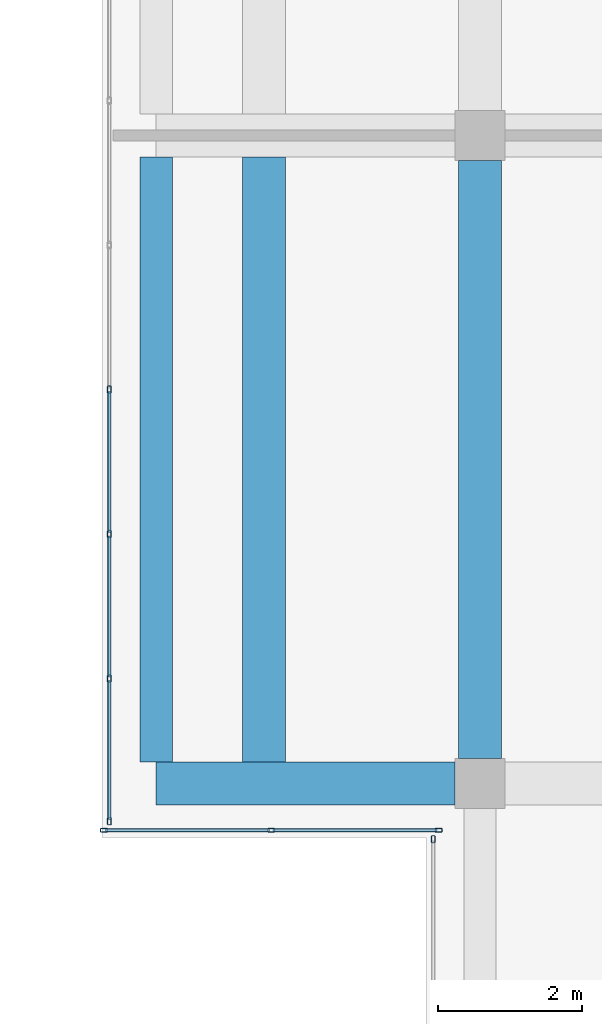
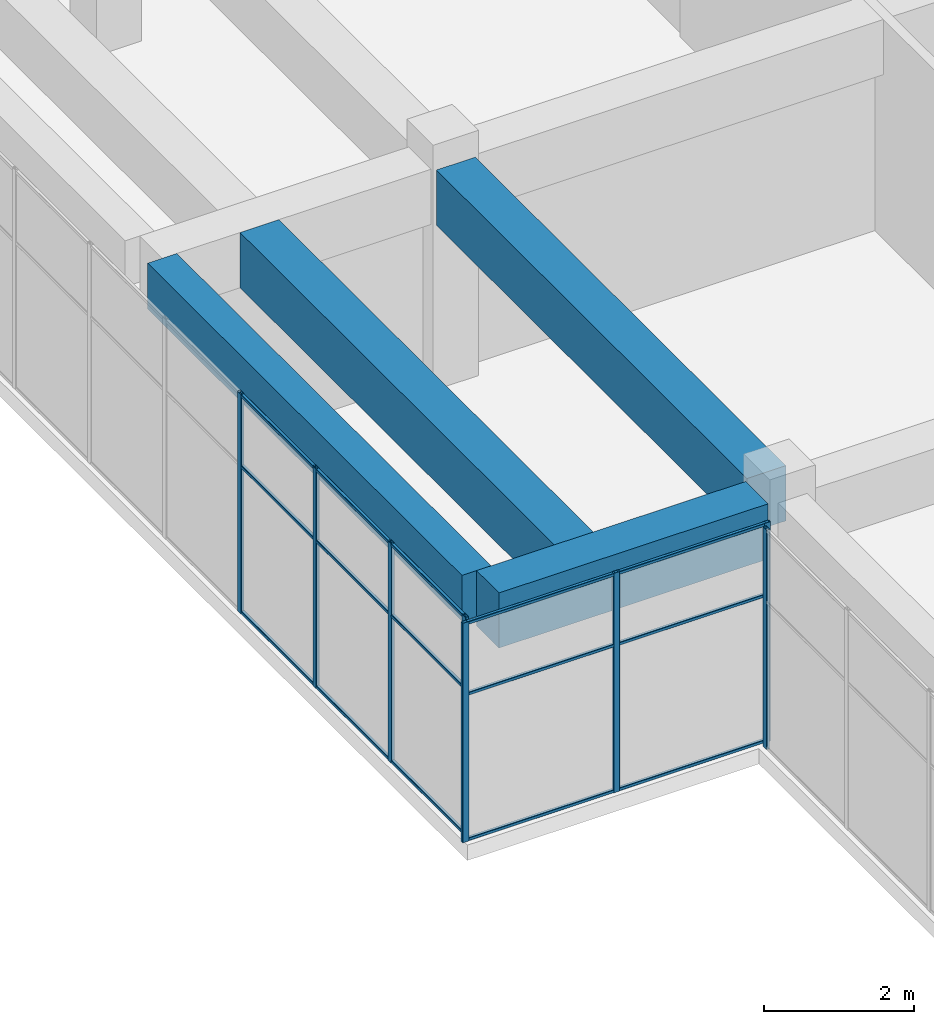
# One storey, part 3 of 32: 23 members, 4 beams, 3 elements without a shape of their own.
"""IFC4 building model written with IfcOpenShell, lengths in metres."""

from ifc_helpers import new_model, si_unit, direction, frame, origin, origin_2d, place, context, subcontext, project, spatial, rectangle, hollow_rectangle, extrude, material, layer, layer_set, material_profile, profile_set, type_object, element, aggregate, save


model = new_model("IFC4")

# Units and contexts
model_context = context("Model", 3, precision=1e-05, world=origin(), true_north=direction((0.0, 1.0)))
body_context = subcontext(model_context, "Body", "Model", "MODEL_VIEW")
ifc_project = project(units=[si_unit("LENGTHUNIT", "METRE"), si_unit("AREAUNIT", "SQUARE_METRE"), si_unit("VOLUMEUNIT", "CUBIC_METRE"), si_unit("PLANEANGLEUNIT", "RADIAN"), si_unit("MASSUNIT", "GRAM", prefix="KILO")], contexts=[model_context])

# Site, building, storey
site_placement = place(None, origin())
site = spatial("IfcSite", under=ifc_project, at=site_placement, CompositionType="ELEMENT")
building_placement = place(site_placement, origin())
building = spatial("IfcBuilding", under=site, at=building_placement, Name="Tuart Plaza Theatre", CompositionType="ELEMENT")
storey_placement = place(building_placement, frame((0.0, 0.0, 37.5)))
storey = spatial("IfcBuildingStorey", under=building, at=storey_placement, Name="L09", CompositionType="ELEMENT", Elevation=37.5)

# Beams
ifc_material_1 = material(Name="Concrete N40 (40 MPa)", Category="concrete")
ifc_material_profile_1 = material_profile(ifc_material_1, rectangle(XDim=0.449951171875, YDim=0.75, at=origin_2d()), Name="BEAM 450x750 Concrete N40 (40 MPa)")
ifc_profile_set_1 = profile_set([ifc_material_profile_1], Name="Concrete N40 (40 MPa)")
beam_type_1 = type_object("IfcBeamType", Name="BEAM 450x750 Concrete N40 (40 MPa)", PredefinedType="BEAM", material=ifc_profile_set_1)
beam_1_placement = place(storey_placement, frame((109.5, 65.300048828125, 3.205078125), z_axis=(0.0, 1.0, 0.0), x_axis=(-1.0, 0.0, 0.0)))
element("IfcBeam", 1, at=beam_1_placement, inside=storey, type_object=beam_type_1, Name="RB248", PredefinedType="BEAM", context=body_context, shape_type="SweptSolid", body=[
    extrude(rectangle(XDim=0.449951171875, YDim=0.75, at=origin_2d()), origin(), (0.0, 0.0, 1.0), 8.39990234375),
])
ifc_material_2 = material(Name="Concrete N40 (40 MPa)", Category="concrete")
ifc_material_profile_2 = material_profile(ifc_material_2, rectangle(XDim=0.60009765625, YDim=0.89990234375, at=origin_2d()), Name="BEAM 600x900 Concrete N40 (40 MPa)")
ifc_profile_set_2 = profile_set([ifc_material_profile_2], Name="Concrete N40 (40 MPa)")
beam_type_2 = type_object("IfcBeamType", Name="BEAM 600x900 Concrete N40 (40 MPa)", PredefinedType="BEAM", material=ifc_profile_set_2)
beam_2_placement = place(storey_placement, frame((109.5, 65.0, 3.1298828125), z_axis=(1.0, 0.0, 0.0), x_axis=(0.0, 1.0, 0.0)))
element("IfcBeam", 2, at=beam_2_placement, inside=storey, type_object=beam_type_2, Name="RB249", PredefinedType="BEAM", context=body_context, shape_type="SweptSolid", body=[
    extrude(rectangle(XDim=0.60009765625, YDim=0.89990234375, at=origin_2d()), origin(), (0.0, 0.0, 1.0), 4.14990234375),
])
beam_3_placement = place(storey_placement, frame((111.0, 65.300048828125, 3.1298828125), z_axis=(0.0, 1.0, 0.0), x_axis=(-1.0, 0.0, 0.0)))
element("IfcBeam", 3, at=beam_3_placement, inside=storey, type_object=beam_type_2, Name="RB279", PredefinedType="BEAM", context=body_context, shape_type="SweptSolid", body=[
    extrude(rectangle(XDim=0.60009765625, YDim=0.89990234375, at=origin_2d()), origin(), (0.0, 0.0, 1.0), 8.39990234375),
])
beam_4_placement = place(storey_placement, frame((114.0, 65.35009765625, 3.1298828125), z_axis=(0.0, 1.0, 0.0), x_axis=(-1.0, 0.0, 0.0)))
element("IfcBeam", 4, at=beam_4_placement, inside=storey, type_object=beam_type_2, Name="RB257", PredefinedType="BEAM", context=body_context, shape_type="SweptSolid", body=[
    extrude(rectangle(XDim=0.60009765625, YDim=0.89990234375, at=origin_2d()), origin(), (0.0, 0.0, 1.0), 8.2998046875),
])

# Curtain wall, members
ifc_material_3 = material(Name="Aluminium and glass", Category="aluminium")
ifc_layer = layer(ifc_material_3, 0.10009765625)
ifc_layer_set = layer_set([ifc_layer], Name="CURTAIN WALL 2000 module")
curtain_wall_type = type_object("IfcCurtainWallType", Name="CURTAIN WALL 2000 module", PredefinedType="NOTDEFINED", material=ifc_layer_set)
curtain_wall_1_placement = place(storey_placement, origin())
curtain_wall_1 = element("IfcCurtainWall", 5, at=curtain_wall_1_placement, inside=storey, type_object=curtain_wall_type, Name="CW97", PredefinedType="NOTDEFINED")
ifc_material_4 = material(Name="Aluminium 6063-T5", Category="aluminium")
ifc_material_profile_3 = material_profile(ifc_material_4, hollow_rectangle(XDim=0.050048828125, YDim=0.10009765625, WallThickness=0.00390625, InnerFilletRadius=0.00390625, OuterFilletRadius=0.008056640625, at=origin_2d()), Name="RHS 100x50x4")
ifc_profile_set_3 = profile_set([ifc_material_profile_3], Name="Aluminium 6063-T5")
member_type_1 = type_object("IfcMemberType", Name="MULLION RHS 100x50x4", PredefinedType="MULLION", material=ifc_profile_set_3)
member_1_placement = place(storey_placement, frame((108.85009765625, 70.471435546875, 0.0), z_axis=(0.0, 0.0, 1.0), x_axis=(1.0, 0.0, 0.0)))
member_1 = element("IfcMember", 6, at=member_1_placement, type_object=member_type_1, Name="CW97 mullion 12", PredefinedType="MULLION", context=body_context, shape_type="SweptSolid", body=[
    extrude(hollow_rectangle(XDim=0.050048828125, YDim=0.10009765625, WallThickness=0.00390625, InnerFilletRadius=0.00390625, OuterFilletRadius=0.008056640625, at=origin_2d()), origin(), (0.0, 0.0, 1.0), 3.580078125),
])
member_2_placement = place(storey_placement, frame((108.85009765625, 68.46435546875, 0.0), z_axis=(0.0, 0.0, 1.0), x_axis=(1.0, 0.0, 0.0)))
member_2 = element("IfcMember", 7, at=member_2_placement, type_object=member_type_1, Name="CW97 mullion 13", PredefinedType="MULLION", context=body_context, shape_type="SweptSolid", body=[
    extrude(hollow_rectangle(XDim=0.050048828125, YDim=0.10009765625, WallThickness=0.00390625, InnerFilletRadius=0.00390625, OuterFilletRadius=0.008056640625, at=origin_2d()), origin(), (0.0, 0.0, 1.0), 3.580078125),
])
member_3_placement = place(storey_placement, frame((108.85009765625, 66.45703125, 0.0), z_axis=(0.0, 0.0, 1.0), x_axis=(1.0, 0.0, 0.0)))
member_3 = element("IfcMember", 8, at=member_3_placement, type_object=member_type_1, Name="CW97 mullion 14", PredefinedType="MULLION", context=body_context, shape_type="SweptSolid", body=[
    extrude(hollow_rectangle(XDim=0.050048828125, YDim=0.10009765625, WallThickness=0.00390625, InnerFilletRadius=0.00390625, OuterFilletRadius=0.008056640625, at=origin_2d()), origin(), (0.0, 0.0, 1.0), 3.580078125),
])
member_4_placement = place(storey_placement, frame((108.85009765625, 64.47509765625, 0.0), z_axis=(0.0, 0.0, 1.0), x_axis=(1.0, 0.0, 0.0)))
member_4 = element("IfcMember", 9, at=member_4_placement, type_object=member_type_1, Name="CW97 mullion 15", PredefinedType="MULLION", context=body_context, shape_type="SweptSolid", body=[
    extrude(hollow_rectangle(XDim=0.050048828125, YDim=0.10009765625, WallThickness=0.00390625, InnerFilletRadius=0.00390625, OuterFilletRadius=0.008056640625, at=origin_2d()), origin(), (0.0, 0.0, 1.0), 3.580078125),
])

curtain_wall_2_placement = place(storey_placement, origin())
curtain_wall_2 = element("IfcCurtainWall", 10, at=curtain_wall_2_placement, inside=storey, type_object=curtain_wall_type, Name="CW98", PredefinedType="NOTDEFINED")
member_5_placement = place(storey_placement, frame((108.77490234375, 64.35009765625, 0.0), z_axis=(0.0, 0.0, 1.0), x_axis=(0.0, 1.0, 0.0)))
member_5 = element("IfcMember", 11, at=member_5_placement, type_object=member_type_1, Name="CW98 mullion 1", PredefinedType="MULLION", context=body_context, shape_type="SweptSolid", body=[
    extrude(hollow_rectangle(XDim=0.050048828125, YDim=0.10009765625, WallThickness=0.00390625, InnerFilletRadius=0.00390625, OuterFilletRadius=0.008056640625, at=origin_2d()), origin(), (0.0, 0.0, 1.0), 3.580078125),
])
member_6_placement = place(storey_placement, frame((111.10009765625, 64.35009765625, 0.0), z_axis=(0.0, 0.0, 1.0), x_axis=(0.0, 1.0, 0.0)))
member_6 = element("IfcMember", 12, at=member_6_placement, type_object=member_type_1, Name="CW98 mullion 2", PredefinedType="MULLION", context=body_context, shape_type="SweptSolid", body=[
    extrude(hollow_rectangle(XDim=0.050048828125, YDim=0.10009765625, WallThickness=0.00390625, InnerFilletRadius=0.00390625, OuterFilletRadius=0.008056640625, at=origin_2d()), origin(), (0.0, 0.0, 1.0), 3.580078125),
])
member_7_placement = place(storey_placement, frame((113.425048828125, 64.35009765625, 0.0), z_axis=(0.0, 0.0, 1.0), x_axis=(0.0, 1.0, 0.0)))
member_7 = element("IfcMember", 13, at=member_7_placement, type_object=member_type_1, Name="CW98 mullion 3", PredefinedType="MULLION", context=body_context, shape_type="SweptSolid", body=[
    extrude(hollow_rectangle(XDim=0.050048828125, YDim=0.10009765625, WallThickness=0.00390625, InnerFilletRadius=0.00390625, OuterFilletRadius=0.008056640625, at=origin_2d()), origin(), (0.0, 0.0, 1.0), 3.580078125),
])

# Curtain wall, member
curtain_wall_3_placement = place(storey_placement, origin())
curtain_wall_3 = element("IfcCurtainWall", 14, at=curtain_wall_3_placement, inside=storey, type_object=curtain_wall_type, Name="CW99", PredefinedType="NOTDEFINED")
member_8_placement = place(storey_placement, frame((113.35009765625, 64.22509765625, 0.0), z_axis=(0.0, 0.0, 1.0), x_axis=(1.0, 0.0, 0.0)))
member_8 = element("IfcMember", 15, at=member_8_placement, type_object=member_type_1, Name="CW99 mullion 1", PredefinedType="MULLION", context=body_context, shape_type="SweptSolid", body=[
    extrude(hollow_rectangle(XDim=0.050048828125, YDim=0.10009765625, WallThickness=0.00390625, InnerFilletRadius=0.00390625, OuterFilletRadius=0.008056640625, at=origin_2d()), origin(), (0.0, 0.0, 1.0), 3.580078125),
])
aggregate(curtain_wall_3, [member_8])

# Member
ifc_material_5 = material(Name="Aluminium 6063-T5", Category="aluminium")
ifc_material_profile_4 = material_profile(ifc_material_5, hollow_rectangle(XDim=0.050048828125, YDim=0.050048828125, WallThickness=0.00390625, InnerFilletRadius=0.00390625, OuterFilletRadius=0.008056640625, at=origin_2d()), Name="RHS 50x50x4")
ifc_profile_set_4 = profile_set([ifc_material_profile_4], Name="Aluminium 6063-T5")
member_type_2 = type_object("IfcMemberType", Name="TRANSOM RHS 50x50x4", PredefinedType="USERDEFINED", material=ifc_profile_set_4)
member_9_placement = place(storey_placement, frame((108.85009765625, 70.446533203125, 0.02490234375), z_axis=(0.0, -1.0, 0.0), x_axis=(1.0, 0.0, 0.0)))
member_9 = element("IfcMember", 16, at=member_9_placement, type_object=member_type_2, Name="CW97 transom 12.1", ObjectType="TRANSOM", PredefinedType="USERDEFINED", context=body_context, shape_type="SweptSolid", body=[
    extrude(hollow_rectangle(XDim=0.050048828125, YDim=0.050048828125, WallThickness=0.00390625, InnerFilletRadius=0.00390625, OuterFilletRadius=0.008056640625, at=origin_2d()), origin(), (0.0, 0.0, 1.0), 1.957275390625),
])

member_10_placement = place(storey_placement, frame((108.85009765625, 70.446533203125, 2.39990234375), z_axis=(0.0, -1.0, 0.0), x_axis=(1.0, 0.0, 0.0)))
member_10 = element("IfcMember", 17, at=member_10_placement, type_object=member_type_2, Name="CW97 transom 12.2", ObjectType="TRANSOM", PredefinedType="USERDEFINED", context=body_context, shape_type="SweptSolid", body=[
    extrude(hollow_rectangle(XDim=0.050048828125, YDim=0.050048828125, WallThickness=0.00390625, InnerFilletRadius=0.00390625, OuterFilletRadius=0.008056640625, at=origin_2d()), origin(), (0.0, 0.0, 1.0), 1.957275390625),
])

member_11_placement = place(storey_placement, frame((108.85009765625, 70.446533203125, 3.554931640625), z_axis=(0.0, -1.0, 0.0), x_axis=(1.0, 0.0, 0.0)))
member_11 = element("IfcMember", 18, at=member_11_placement, type_object=member_type_2, Name="CW97 transom 12.3", ObjectType="TRANSOM", PredefinedType="USERDEFINED", context=body_context, shape_type="SweptSolid", body=[
    extrude(hollow_rectangle(XDim=0.050048828125, YDim=0.050048828125, WallThickness=0.00390625, InnerFilletRadius=0.00390625, OuterFilletRadius=0.008056640625, at=origin_2d()), origin(), (0.0, 0.0, 1.0), 1.957275390625),
])

member_12_placement = place(storey_placement, frame((108.85009765625, 68.439208984375, 0.02490234375), z_axis=(0.0, -1.0, 0.0), x_axis=(1.0, 0.0, 0.0)))
member_12 = element("IfcMember", 19, at=member_12_placement, type_object=member_type_2, Name="CW97 transom 13.1", ObjectType="TRANSOM", PredefinedType="USERDEFINED", context=body_context, shape_type="SweptSolid", body=[
    extrude(hollow_rectangle(XDim=0.050048828125, YDim=0.050048828125, WallThickness=0.00390625, InnerFilletRadius=0.00390625, OuterFilletRadius=0.008056640625, at=origin_2d()), origin(), (0.0, 0.0, 1.0), 1.95703125),
])

member_13_placement = place(storey_placement, frame((108.85009765625, 68.439208984375, 2.39990234375), z_axis=(0.0, -1.0, 0.0), x_axis=(1.0, 0.0, 0.0)))
member_13 = element("IfcMember", 20, at=member_13_placement, type_object=member_type_2, Name="CW97 transom 13.2", ObjectType="TRANSOM", PredefinedType="USERDEFINED", context=body_context, shape_type="SweptSolid", body=[
    extrude(hollow_rectangle(XDim=0.050048828125, YDim=0.050048828125, WallThickness=0.00390625, InnerFilletRadius=0.00390625, OuterFilletRadius=0.008056640625, at=origin_2d()), origin(), (0.0, 0.0, 1.0), 1.95703125),
])

member_14_placement = place(storey_placement, frame((108.85009765625, 68.439208984375, 3.554931640625), z_axis=(0.0, -1.0, 0.0), x_axis=(1.0, 0.0, 0.0)))
member_14 = element("IfcMember", 21, at=member_14_placement, type_object=member_type_2, Name="CW97 transom 13.3", ObjectType="TRANSOM", PredefinedType="USERDEFINED", context=body_context, shape_type="SweptSolid", body=[
    extrude(hollow_rectangle(XDim=0.050048828125, YDim=0.050048828125, WallThickness=0.00390625, InnerFilletRadius=0.00390625, OuterFilletRadius=0.008056640625, at=origin_2d()), origin(), (0.0, 0.0, 1.0), 1.95703125),
])

member_15_placement = place(storey_placement, frame((108.85009765625, 66.43212890625, 0.02490234375), z_axis=(0.0, -1.0, 0.0), x_axis=(1.0, 0.0, 0.0)))
member_15 = element("IfcMember", 22, at=member_15_placement, type_object=member_type_2, Name="CW97 transom 14.1", ObjectType="TRANSOM", PredefinedType="USERDEFINED", context=body_context, shape_type="SweptSolid", body=[
    extrude(hollow_rectangle(XDim=0.050048828125, YDim=0.050048828125, WallThickness=0.00390625, InnerFilletRadius=0.00390625, OuterFilletRadius=0.008056640625, at=origin_2d()), origin(), (0.0, 0.0, 1.0), 1.93212890625),
])

member_16_placement = place(storey_placement, frame((108.85009765625, 66.43212890625, 2.39990234375), z_axis=(0.0, -1.0, 0.0), x_axis=(1.0, 0.0, 0.0)))
member_16 = element("IfcMember", 23, at=member_16_placement, type_object=member_type_2, Name="CW97 transom 14.2", ObjectType="TRANSOM", PredefinedType="USERDEFINED", context=body_context, shape_type="SweptSolid", body=[
    extrude(hollow_rectangle(XDim=0.050048828125, YDim=0.050048828125, WallThickness=0.00390625, InnerFilletRadius=0.00390625, OuterFilletRadius=0.008056640625, at=origin_2d()), origin(), (0.0, 0.0, 1.0), 1.93212890625),
])

member_17_placement = place(storey_placement, frame((108.85009765625, 66.43212890625, 3.554931640625), z_axis=(0.0, -1.0, 0.0), x_axis=(1.0, 0.0, 0.0)))
member_17 = element("IfcMember", 24, at=member_17_placement, type_object=member_type_2, Name="CW97 transom 14.3", ObjectType="TRANSOM", PredefinedType="USERDEFINED", context=body_context, shape_type="SweptSolid", body=[
    extrude(hollow_rectangle(XDim=0.050048828125, YDim=0.050048828125, WallThickness=0.00390625, InnerFilletRadius=0.00390625, OuterFilletRadius=0.008056640625, at=origin_2d()), origin(), (0.0, 0.0, 1.0), 1.93212890625),
])

aggregate(curtain_wall_1, [member_1, member_2, member_3, member_4, member_9, member_10, member_11, member_12, member_13, member_14, member_15, member_16, member_17])

member_18_placement = place(storey_placement, frame((108.800048828125, 64.35009765625, 0.02490234375), z_axis=(1.0, 0.0, 0.0), x_axis=(0.0, 1.0, 0.0)))
member_18 = element("IfcMember", 25, at=member_18_placement, type_object=member_type_2, Name="CW98 transom 1.1", ObjectType="TRANSOM", PredefinedType="USERDEFINED", context=body_context, shape_type="SweptSolid", body=[
    extrude(hollow_rectangle(XDim=0.050048828125, YDim=0.050048828125, WallThickness=0.00390625, InnerFilletRadius=0.00390625, OuterFilletRadius=0.008056640625, at=origin_2d()), origin(), (0.0, 0.0, 1.0), 2.27490234375),
])

member_19_placement = place(storey_placement, frame((108.800048828125, 64.35009765625, 2.39990234375), z_axis=(1.0, 0.0, 0.0), x_axis=(0.0, 1.0, 0.0)))
member_19 = element("IfcMember", 26, at=member_19_placement, type_object=member_type_2, Name="CW98 transom 1.2", ObjectType="TRANSOM", PredefinedType="USERDEFINED", context=body_context, shape_type="SweptSolid", body=[
    extrude(hollow_rectangle(XDim=0.050048828125, YDim=0.050048828125, WallThickness=0.00390625, InnerFilletRadius=0.00390625, OuterFilletRadius=0.008056640625, at=origin_2d()), origin(), (0.0, 0.0, 1.0), 2.27490234375),
])

member_20_placement = place(storey_placement, frame((108.800048828125, 64.35009765625, 3.554931640625), z_axis=(1.0, 0.0, 0.0), x_axis=(0.0, 1.0, 0.0)))
member_20 = element("IfcMember", 27, at=member_20_placement, type_object=member_type_2, Name="CW98 transom 1.3", ObjectType="TRANSOM", PredefinedType="USERDEFINED", context=body_context, shape_type="SweptSolid", body=[
    extrude(hollow_rectangle(XDim=0.050048828125, YDim=0.050048828125, WallThickness=0.00390625, InnerFilletRadius=0.00390625, OuterFilletRadius=0.008056640625, at=origin_2d()), origin(), (0.0, 0.0, 1.0), 2.27490234375),
])

member_21_placement = place(storey_placement, frame((111.125, 64.35009765625, 0.02490234375), z_axis=(1.0, 0.0, 0.0), x_axis=(0.0, 1.0, 0.0)))
member_21 = element("IfcMember", 28, at=member_21_placement, type_object=member_type_2, Name="CW98 transom 2.1", ObjectType="TRANSOM", PredefinedType="USERDEFINED", context=body_context, shape_type="SweptSolid", body=[
    extrude(hollow_rectangle(XDim=0.050048828125, YDim=0.050048828125, WallThickness=0.00390625, InnerFilletRadius=0.00390625, OuterFilletRadius=0.008056640625, at=origin_2d()), origin(), (0.0, 0.0, 1.0), 2.27490234375),
])

member_22_placement = place(storey_placement, frame((111.125, 64.35009765625, 2.39990234375), z_axis=(1.0, 0.0, 0.0), x_axis=(0.0, 1.0, 0.0)))
member_22 = element("IfcMember", 29, at=member_22_placement, type_object=member_type_2, Name="CW98 transom 2.2", ObjectType="TRANSOM", PredefinedType="USERDEFINED", context=body_context, shape_type="SweptSolid", body=[
    extrude(hollow_rectangle(XDim=0.050048828125, YDim=0.050048828125, WallThickness=0.00390625, InnerFilletRadius=0.00390625, OuterFilletRadius=0.008056640625, at=origin_2d()), origin(), (0.0, 0.0, 1.0), 2.27490234375),
])

member_23_placement = place(storey_placement, frame((111.125, 64.35009765625, 3.554931640625), z_axis=(1.0, 0.0, 0.0), x_axis=(0.0, 1.0, 0.0)))
member_23 = element("IfcMember", 30, at=member_23_placement, type_object=member_type_2, Name="CW98 transom 2.3", ObjectType="TRANSOM", PredefinedType="USERDEFINED", context=body_context, shape_type="SweptSolid", body=[
    extrude(hollow_rectangle(XDim=0.050048828125, YDim=0.050048828125, WallThickness=0.00390625, InnerFilletRadius=0.00390625, OuterFilletRadius=0.008056640625, at=origin_2d()), origin(), (0.0, 0.0, 1.0), 2.27490234375),
])

aggregate(curtain_wall_2, [member_5, member_6, member_7, member_18, member_19, member_20, member_21, member_22, member_23])

save(model, "model.ifc")
